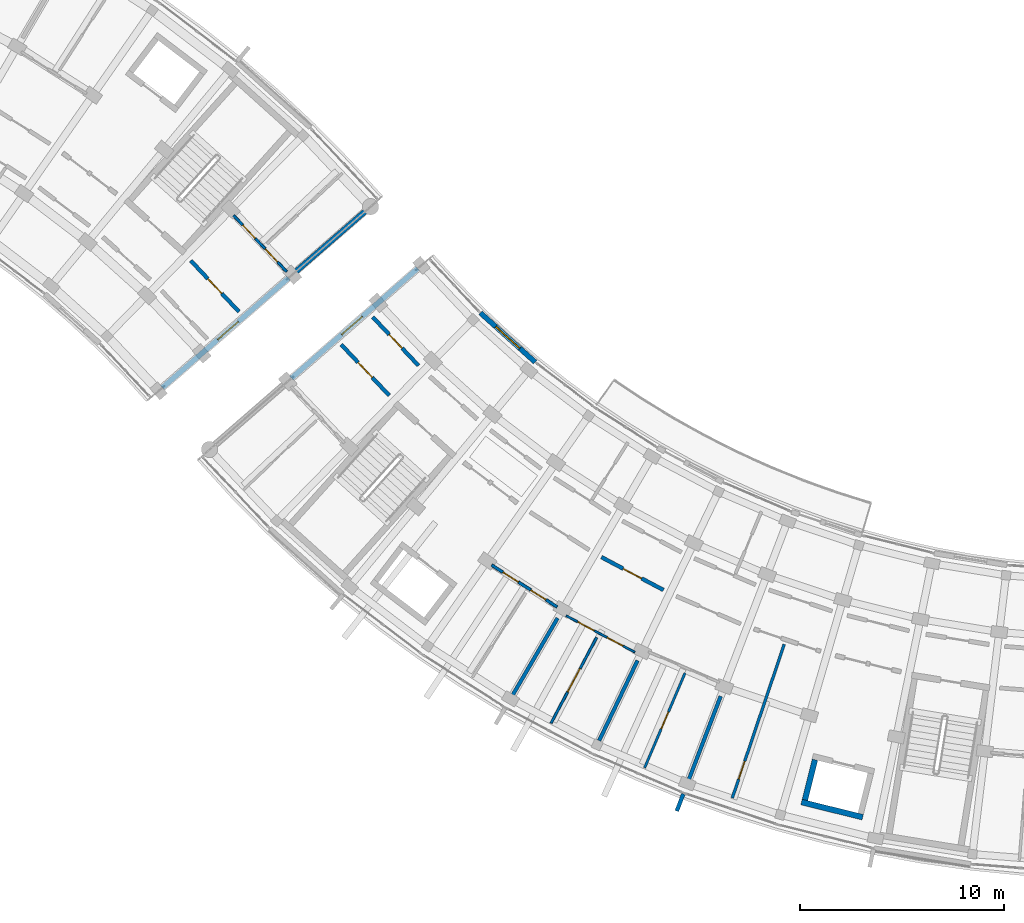
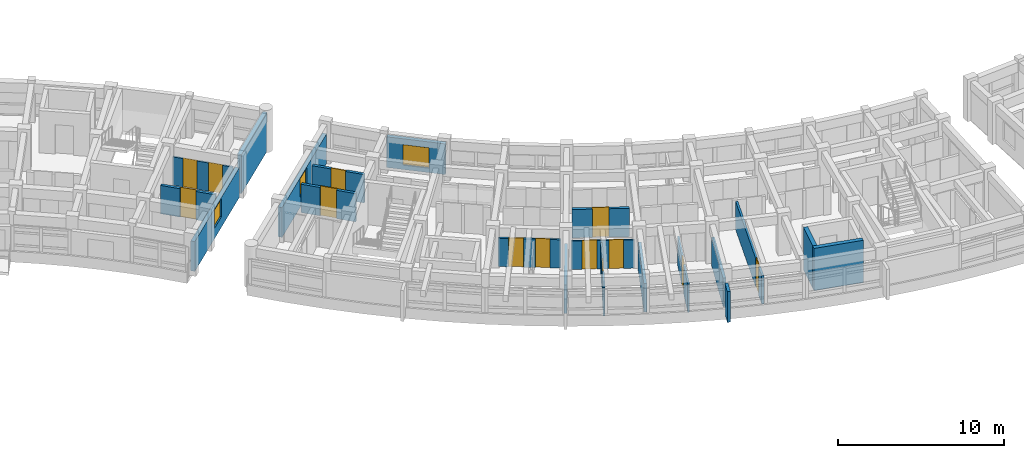
# One storey, part 33 of 56: 20 walls, 13 doors, 3 windows, 16 openings.
"""IFC4 building model written with IfcOpenShell, lengths in metres."""

from ifc_helpers import new_model, si_unit, direction, frame, frame_2d, origin, place, context, subcontext, project, spatial, rectangle, extrude, material, layer, layer_set, type_object, element, fill, save


model = new_model("IFC4")

# Units and contexts
model_context = context("Model", 3, precision=1e-05, world=origin(), true_north=direction((0.0, 1.0)))
body_context = subcontext(model_context, "Body", "Model", "MODEL_VIEW")
ifc_project = project(units=[si_unit("LENGTHUNIT", "METRE"), si_unit("AREAUNIT", "SQUARE_METRE"), si_unit("VOLUMEUNIT", "CUBIC_METRE"), si_unit("PLANEANGLEUNIT", "RADIAN"), si_unit("MASSUNIT", "GRAM", prefix="KILO")], contexts=[model_context])

# Site, building, storey
site_placement = place(None, origin())
site = spatial("IfcSite", under=ifc_project, at=site_placement, CompositionType="ELEMENT")
building_placement = place(site_placement, origin())
building = spatial("IfcBuilding", under=site, at=building_placement, Name="Zimvara Arc Housing Community", CompositionType="ELEMENT")
storey_placement = place(building_placement, frame((0.0, 0.0, 17.39990234375)))
storey = spatial("IfcBuildingStorey", under=building, at=storey_placement, Name="L05", CompositionType="ELEMENT", Elevation=17.39990234375)

# Wall, opening, window
ifc_material_1 = material(Name="Board-Marked Fair-Faced Concrete C35/45", Category="concrete")
ifc_layer_1 = layer(ifc_material_1, 0.264892578125)
ifc_layer_set_1 = layer_set([ifc_layer_1], Name="Board-Marked Fair-Faced Concrete C35/45")
wall_type_1 = type_object("IfcWallType", Name="EWL-CONC-265", PredefinedType="SOLIDWALL", material=ifc_layer_set_1)
wall_1_placement = place(storey_placement, frame((79.233642578125, 74.2587890625, 0.0), z_axis=(0.0, 0.0, 1.0), x_axis=(0.754717680958, 0.656049710044, 0.0)))
wall_1 = element("IfcWall", 1, at=wall_1_placement, inside=storey, type_object=wall_type_1, Name="ewall:blkB:L05:gN", PredefinedType="SOLIDWALL", context=body_context, shape_type="SweptSolid", body=[
    extrude(rectangle(XDim=8.199951171875, YDim=0.264892578125, at=frame_2d((4.10009765625, 0.0))), origin(), (0.0, 0.0, 1.0), 2.18017578125),
])
opening_1_placement = place(wall_1_placement, frame((3.590087890625, 0.0, 0.75)))
opening_1 = element("IfcOpeningElement", 2, at=opening_1_placement, cuts=wall_1, Name="Opening W12", PredefinedType="OPENING", context=body_context, shape_type="SweptSolid", body=[
    extrude(rectangle(XDim=1.35009765625, YDim=1.35009765625, at=frame_2d((0.675048828125, 0.675048828125))), frame((0.0, 0.142333984375, 0.0), z_axis=(0.0, -1.0, 0.0), x_axis=(1.0, 0.0, 0.0)), (0.0, 0.0, 1.0), 0.284912109375),
])
ifc_material_2 = material(Name="Solar Control Low-E Double Glazing", Category="glass")
window_type_1 = type_object("IfcWindowType", Name="WIN-RES-1350x1350", PartitioningType="DOUBLE_PANEL_VERTICAL", PredefinedType="WINDOW", material=ifc_material_2)
window_1_placement = place(opening_1_placement, origin())
window_1 = element("IfcWindow", 3, at=window_1_placement, inside=storey, type_object=window_type_1, Name="win:blkB:L05:gN:w", OverallHeight=1.35009765625, OverallWidth=1.35009765625, PartitioningType="DOUBLE_PANEL_VERTICAL", PredefinedType="WINDOW", context=body_context, shape_type="SweptSolid", body=[
    extrude(rectangle(XDim=1.35009765625, YDim=1.35009765625, at=frame_2d((0.675048828125, 0.675048828125))), frame((0.0, 0.030029296875, 0.0), z_axis=(0.0, -1.0, 0.0), x_axis=(1.0, 0.0, 0.0)), (0.0, 0.0, 1.0), 0.06005859375),
])
fill(opening_1, window_1)

wall_2_placement = place(storey_placement, frame((91.746337890625, 80.10107421875, 0.0), z_axis=(0.0, 0.0, 1.0), x_axis=(-0.754704866158, -0.656064451862, 0.0)))
wall_2 = element("IfcWall", 4, at=wall_2_placement, inside=storey, type_object=wall_type_1, Name="ewall:blkC:L05:g0", PredefinedType="SOLIDWALL", context=body_context, shape_type="SweptSolid", body=[
    extrude(rectangle(XDim=8.199951171875, YDim=0.264892578125, at=frame_2d((4.10009765625, 0.0))), origin(), (0.0, 0.0, 1.0), 2.18017578125),
])
opening_2_placement = place(wall_2_placement, frame((3.590087890625, 0.0, 0.75)))
opening_2 = element("IfcOpeningElement", 5, at=opening_2_placement, cuts=wall_2, Name="Opening W12", PredefinedType="OPENING", context=body_context, shape_type="SweptSolid", body=[
    extrude(rectangle(XDim=1.35009765625, YDim=1.35009765625, at=frame_2d((0.675048828125, 0.675048828125))), frame((0.0, 0.142333984375, 0.0), z_axis=(0.0, -1.0, 0.0), x_axis=(1.0, 0.0, 0.0)), (0.0, 0.0, 1.0), 0.284912109375),
])
window_2_placement = place(opening_2_placement, origin())
window_2 = element("IfcWindow", 6, at=window_2_placement, inside=storey, type_object=window_type_1, Name="win:blkC:L05:g0:w", OverallHeight=1.35009765625, OverallWidth=1.35009765625, PartitioningType="DOUBLE_PANEL_VERTICAL", PredefinedType="WINDOW", context=body_context, shape_type="SweptSolid", body=[
    extrude(rectangle(XDim=1.35009765625, YDim=1.35009765625, at=frame_2d((0.675048828125, 0.675048828125))), frame((0.0, 0.030029296875, 0.0), z_axis=(0.0, -1.0, 0.0), x_axis=(1.0, 0.0, 0.0)), (0.0, 0.0, 1.0), 0.06005859375),
])
fill(opening_2, window_2)

# Wall
ifc_material_3 = material(Name="Board-Marked Fair-Faced Concrete C35/45", Category="concrete")
ifc_layer_2 = layer(ifc_material_3, 0.195068359375)
ifc_layer_set_2 = layer_set([ifc_layer_2], Name="Board-Marked Fair-Faced Concrete C35/45")
wall_type_2 = type_object("IfcWallType", Name="EWL-PARA-195", PredefinedType="PARAPET", material=ifc_layer_set_2)
wall_3_placement = place(storey_placement, frame((104.76318359375, 54.35693359375, 0.0), z_axis=(0.0, 0.0, 1.0), x_axis=(-0.357033038474, -0.934091756434, 0.0)))
element("IfcWall", 7, at=wall_3_placement, inside=storey, type_object=wall_type_2, Name="finwall:blkC:L05:out:b6", PredefinedType="PARAPET", context=body_context, shape_type="SweptSolid", body=[
    extrude(rectangle(XDim=0.89990234375, YDim=0.195068359375, at=frame_2d((0.449951171875, 0.0))), origin(), (0.0, 0.0, 1.0), 2.25),
])

# Wall, opening, window
ifc_material_4 = material(Name="Pigmented Fair-Faced Concrete C35/45", Category="concrete")
ifc_layer_3 = layer(ifc_material_4, 0.2451171875)
ifc_layer_set_3 = layer_set([ifc_layer_3], Name="Pigmented Fair-Faced Concrete C35/45")
wall_type_3 = type_object("IfcWallType", Name="EWL-PIGM-245", PredefinedType="SOLIDWALL", material=ifc_layer_set_3)
wall_4_placement = place(storey_placement, frame((94.8203125, 77.92333984375, 0.0), z_axis=(0.0, 0.0, 1.0), x_axis=(0.743385092197, -0.668863666751, 0.0)))
wall_4 = element("IfcWall", 8, at=wall_4_placement, inside=storey, type_object=wall_type_3, Name="ewall:blkC:L05:in:b1", PredefinedType="SOLIDWALL", context=body_context, shape_type="SweptSolid", body=[
    extrude(rectangle(XDim=3.603759765625, YDim=0.2451171875, at=frame_2d((1.8017578125, 0.0))), origin(), (0.0, 0.0, 1.0), 2.25),
])
opening_3_placement = place(wall_4_placement, frame((1.001708984375, 0.0, 0.320068359375)))
opening_3 = element("IfcOpeningElement", 9, at=opening_3_placement, cuts=wall_4, Name="Opening W03", PredefinedType="OPENING", context=body_context, shape_type="SweptSolid", body=[
    extrude(rectangle(XDim=1.60009765625, YDim=1.5, at=frame_2d((0.800048828125, 0.75))), frame((0.0, 0.132568359375, 0.0), z_axis=(0.0, -1.0, 0.0), x_axis=(1.0, 0.0, 0.0)), (0.0, 0.0, 1.0), 0.26513671875),
])
ifc_material_5 = material(Name="Solar Control Low-E Double Glazing", Category="glass")
window_type_2 = type_object("IfcWindowType", Name="WIN-RES-1600x1500", PartitioningType="DOUBLE_PANEL_VERTICAL", PredefinedType="WINDOW", material=ifc_material_5)
window_3_placement = place(opening_3_placement, origin())
window_3 = element("IfcWindow", 10, at=window_3_placement, inside=storey, type_object=window_type_2, Name="win:blkC:L05:in:b1", OverallHeight=1.5, OverallWidth=1.60009765625, PartitioningType="DOUBLE_PANEL_VERTICAL", PredefinedType="WINDOW", context=body_context, shape_type="SweptSolid", body=[
    extrude(rectangle(XDim=1.60009765625, YDim=1.5, at=frame_2d((0.800048828125, 0.75))), frame((0.0, 0.030029296875, 0.0), z_axis=(0.0, -1.0, 0.0), x_axis=(1.0, 0.0, 0.0)), (0.0, 0.0, 1.0), 0.06005859375),
])
fill(opening_3, window_3)

# Wall, opening, door
ifc_material_6 = material(Name="Concrete C35/45", Category="concrete")
ifc_layer_4 = layer(ifc_material_6, 0.18994140625)
ifc_layer_set_4 = layer_set([ifc_layer_4], Name="Concrete C35/45")
wall_type_4 = type_object("IfcWallType", Name="IWL-CORR-190", PredefinedType="SOLIDWALL", material=ifc_layer_set_4)
wall_5_placement = place(storey_placement, frame((80.627685546875, 80.48291015625, 0.0), z_axis=(0.0, 0.0, 1.0), x_axis=(0.686310507227, -0.727308660522, 0.0)))
wall_5 = element("IfcWall", 11, at=wall_5_placement, inside=storey, type_object=wall_type_4, Name="iwall:blkB:L05:corr_out:b9", PredefinedType="SOLIDWALL", context=body_context, shape_type="SweptSolid", body=[
    extrude(rectangle(XDim=3.43603515625, YDim=0.18994140625, at=frame_2d((1.718017578125, 0.0))), origin(), (0.0, 0.0, 1.0), 2.080078125),
])
opening_4_placement = place(wall_5_placement, frame((1.22802734375, 0.0, 0.0)))
opening_4 = element("IfcOpeningElement", 12, at=opening_4_placement, cuts=wall_5, Name="Opening FD-FL1", PredefinedType="OPENING", context=body_context, shape_type="SweptSolid", body=[
    extrude(rectangle(XDim=0.97998046875, YDim=2.14990234375, at=frame_2d((0.489990234375, 1.074951171875))), frame((0.0, 0.10498046875, 0.0), z_axis=(0.0, -1.0, 0.0), x_axis=(1.0, 0.0, 0.0)), (0.0, 0.0, 1.0), 0.2099609375),
])
ifc_material_7 = material(Name="Mozambican Hardwood", Category="wood")
door_type_1 = type_object("IfcDoorType", Name="IDR-FLAT-0980x2150", OperationType="NOTDEFINED", PredefinedType="DOOR", material=ifc_material_7)
door_1_placement = place(opening_4_placement, origin())
door_1 = element("IfcDoor", 13, at=door_1_placement, inside=storey, type_object=door_type_1, Name="idoor:blkB:L05:flat:b9", OperationType="SINGLE_SWING_RIGHT", OverallHeight=2.14990234375, OverallWidth=0.97998046875, PredefinedType="DOOR", context=body_context, shape_type="SweptSolid", body=[
    extrude(rectangle(XDim=0.97998046875, YDim=2.14990234375, at=frame_2d((0.489990234375, 1.074951171875))), frame((0.0, 0.02490234375, 0.0), z_axis=(0.0, -1.0, 0.0), x_axis=(1.0, 0.0, 0.0)), (0.0, 0.0, 1.0), 0.050048828125),
])
fill(opening_4, door_1)

wall_6_placement = place(storey_placement, frame((87.994140625, 76.3759765625, 0.0), z_axis=(0.0, 0.0, 1.0), x_axis=(0.686310507227, -0.727308660522, 0.0)))
wall_6 = element("IfcWall", 14, at=wall_6_placement, inside=storey, type_object=wall_type_4, Name="iwall:blkC:L05:corr_out:b0", PredefinedType="SOLIDWALL", context=body_context, shape_type="SweptSolid", body=[
    extrude(rectangle(XDim=3.43603515625, YDim=0.18994140625, at=frame_2d((1.718017578125, 0.0))), origin(), (0.0, 0.0, 1.0), 2.080078125),
])
opening_5_placement = place(wall_6_placement, frame((1.2080078125, 0.0, 0.0)))
opening_5 = element("IfcOpeningElement", 15, at=opening_5_placement, cuts=wall_6, Name="Opening FD-FL2", PredefinedType="OPENING", context=body_context, shape_type="SweptSolid", body=[
    extrude(rectangle(XDim=1.02001953125, YDim=2.14990234375, at=frame_2d((0.510009765625, 1.074951171875))), frame((0.0, 0.10498046875, 0.0), z_axis=(0.0, -1.0, 0.0), x_axis=(1.0, 0.0, 0.0)), (0.0, 0.0, 1.0), 0.2099609375),
])
ifc_material_8 = material(Name="Mozambican Hardwood", Category="wood")
door_type_2 = type_object("IfcDoorType", Name="IDR-FLAT-1020x2150", OperationType="NOTDEFINED", PredefinedType="DOOR", material=ifc_material_8)
door_2_placement = place(opening_5_placement, origin())
door_2 = element("IfcDoor", 16, at=door_2_placement, inside=storey, type_object=door_type_2, Name="idoor:blkC:L05:flat:b0", OperationType="SINGLE_SWING_LEFT", OverallHeight=2.14990234375, OverallWidth=1.02001953125, PredefinedType="DOOR", context=body_context, shape_type="SweptSolid", body=[
    extrude(rectangle(XDim=1.02001953125, YDim=2.14990234375, at=frame_2d((0.510009765625, 1.074951171875))), frame((0.0, 0.02490234375, 0.0), z_axis=(0.0, -1.0, 0.0), x_axis=(1.0, 0.0, 0.0)), (0.0, 0.0, 1.0), 0.050048828125),
])
fill(opening_5, door_2)

wall_7_placement = place(storey_placement, frame((89.541259765625, 77.720947265625, 0.0), z_axis=(0.0, 0.0, 1.0), x_axis=(0.686344941052, -0.727276166179, 0.0)))
wall_7 = element("IfcWall", 17, at=wall_7_placement, inside=storey, type_object=wall_type_4, Name="iwall:blkC:L05:corr_in:b0", PredefinedType="SOLIDWALL", context=body_context, shape_type="SweptSolid", body=[
    extrude(rectangle(XDim=3.2685546875, YDim=0.18994140625, at=frame_2d((1.63427734375, 0.0))), origin(), (0.0, 0.0, 1.0), 2.080078125),
])
opening_6_placement = place(wall_7_placement, frame((1.17431640625, 0.0, 0.0)))
opening_6 = element("IfcOpeningElement", 18, at=opening_6_placement, cuts=wall_7, Name="Opening D02", PredefinedType="OPENING", context=body_context, shape_type="SweptSolid", body=[
    extrude(rectangle(XDim=0.919921875, YDim=2.10009765625, at=frame_2d((0.4599609375, 1.050048828125))), frame((0.0, 0.10498046875, 0.0), z_axis=(0.0, -1.0, 0.0), x_axis=(1.0, 0.0, 0.0)), (0.0, 0.0, 1.0), 0.2099609375),
])
ifc_material_9 = material(Name="Mozambican Hardwood", Category="wood")
door_type_3 = type_object("IfcDoorType", Name="IDR-RM-0920x2100", OperationType="NOTDEFINED", PredefinedType="DOOR", material=ifc_material_9)
door_3_placement = place(opening_6_placement, origin())
door_3 = element("IfcDoor", 19, at=door_3_placement, inside=storey, type_object=door_type_3, Name="idoor:blkC:L05:in_rm:b0", OperationType="SINGLE_SWING_RIGHT", OverallHeight=2.10009765625, OverallWidth=0.919921875, PredefinedType="DOOR", context=body_context, shape_type="SweptSolid", body=[
    extrude(rectangle(XDim=0.919921875, YDim=2.10009765625, at=frame_2d((0.4599609375, 1.050048828125))), frame((0.0, 0.02490234375, 0.0), z_axis=(0.0, -1.0, 0.0), x_axis=(1.0, 0.0, 0.0)), (0.0, 0.0, 1.0), 0.050048828125),
])
fill(opening_6, door_3)

wall_8_placement = place(storey_placement, frame((100.750244140625, 65.9560546875, 0.0), z_axis=(0.0, 0.0, 1.0), x_axis=(0.883440266101, -0.468543803963, 0.0)))
wall_8 = element("IfcWall", 20, at=wall_8_placement, inside=storey, type_object=wall_type_4, Name="iwall:blkC:L05:corr_out:b4", PredefinedType="SOLIDWALL", context=body_context, shape_type="SweptSolid", body=[
    extrude(rectangle(XDim=3.435791015625, YDim=0.18994140625, at=frame_2d((1.7177734375, 0.0))), origin(), (0.0, 0.0, 1.0), 2.080078125),
])
opening_7_placement = place(wall_8_placement, frame((1.2080078125, 0.0, 0.0)))
opening_7 = element("IfcOpeningElement", 21, at=opening_7_placement, cuts=wall_8, Name="Opening FD-FL2", PredefinedType="OPENING", context=body_context, shape_type="SweptSolid", body=[
    extrude(rectangle(XDim=1.02001953125, YDim=2.14990234375, at=frame_2d((0.510009765625, 1.074951171875))), frame((0.0, 0.10498046875, 0.0), z_axis=(0.0, -1.0, 0.0), x_axis=(1.0, 0.0, 0.0)), (0.0, 0.0, 1.0), 0.2099609375),
])
door_4_placement = place(opening_7_placement, origin())
door_4 = element("IfcDoor", 22, at=door_4_placement, inside=storey, type_object=door_type_2, Name="idoor:blkC:L05:flat:b4", OperationType="SINGLE_SWING_RIGHT", OverallHeight=2.14990234375, OverallWidth=1.02001953125, PredefinedType="DOOR", context=body_context, shape_type="SweptSolid", body=[
    extrude(rectangle(XDim=1.02001953125, YDim=2.14990234375, at=frame_2d((0.510009765625, 1.074951171875))), frame((0.0, 0.02490234375, 0.0), z_axis=(0.0, -1.0, 0.0), x_axis=(1.0, 0.0, 0.0)), (0.0, 0.0, 1.0), 0.050048828125),
])
fill(opening_7, door_4)

# Walls
ifc_material_10 = material(Name="Concrete C35/45", Category="concrete")
ifc_layer_5 = layer(ifc_material_10, 0.18505859375)
ifc_layer_set_5 = layer_set([ifc_layer_5], Name="Concrete C35/45")
wall_type_5 = type_object("IfcWallType", Name="IWL-FLAT-185", PredefinedType="SOLIDWALL", material=ifc_layer_set_5)
wall_9_placement = place(storey_placement, frame((98.6005859375, 62.968017578125, 0.0), z_axis=(0.0, 0.0, 1.0), x_axis=(-0.504216452091, -0.863577309475, 0.0)))
element("IfcWall", 23, at=wall_9_placement, inside=storey, type_object=wall_type_5, Name="iwall:blkC:L05:party:b4", PredefinedType="SOLIDWALL", context=body_context, shape_type="SweptSolid", body=[
    extrude(rectangle(XDim=4.35009765625, YDim=0.18505859375, at=frame_2d((2.175048828125, 0.0))), origin(), (0.0, 0.0, 1.0), 2.080078125),
])
wall_10_placement = place(storey_placement, frame((102.517822265625, 60.890380859375, 0.0), z_axis=(0.0, 0.0, 1.0), x_axis=(-0.432108769108, -0.901821496561, 0.0)))
element("IfcWall", 24, at=wall_10_placement, inside=storey, type_object=wall_type_5, Name="iwall:blkC:L05:party:b5", PredefinedType="SOLIDWALL", context=body_context, shape_type="SweptSolid", body=[
    extrude(rectangle(XDim=4.349853515625, YDim=0.18505859375, at=frame_2d((2.1748046875, 0.0))), origin(), (0.0, 0.0, 1.0), 2.080078125),
])
wall_11_placement = place(storey_placement, frame((106.59130859375, 59.139404296875, 0.0), z_axis=(0.0, 0.0, 1.0), x_axis=(-0.357064016205, -0.934079915388, 0.0)))
element("IfcWall", 25, at=wall_11_placement, inside=storey, type_object=wall_type_5, Name="iwall:blkC:L05:party:b6", PredefinedType="SOLIDWALL", context=body_context, shape_type="SweptSolid", body=[
    extrude(rectangle(XDim=4.35009765625, YDim=0.18505859375, at=frame_2d((2.175048828125, 0.0))), origin(), (0.0, 0.0, 1.0), 2.080078125),
])

# Wall, openings, doors
ifc_material_11 = material(Name="Painted Acoustic Plasterboard")
ifc_layer_6 = layer(ifc_material_11, 0.10009765625)
ifc_layer_set_6 = layer_set([ifc_layer_6], Name="Painted Acoustic Plasterboard")
wall_type_6 = type_object("IfcWallType", Name="IWL-PART-100", PredefinedType="PARTITIONING", material=ifc_layer_set_6)
wall_12_placement = place(storey_placement, frame((99.016845703125, 63.086669921875, 0.0), z_axis=(0.0, 0.0, 1.0), x_axis=(0.883415075746, -0.468591297342, 0.0)))
wall_12 = element("IfcWall", 26, at=wall_12_placement, inside=storey, type_object=wall_type_6, Name="iwall:blkC:L05:srv:b4", PredefinedType="PARTITIONING", context=body_context, shape_type="SweptSolid", body=[
    extrude(rectangle(XDim=3.8095703125, YDim=0.10009765625, at=frame_2d((1.90478515625, 0.0))), origin(), (0.0, 0.0, 1.0), 2.080078125),
])
opening_8_placement = place(wall_12_placement, frame((0.64990234375, 0.0, 0.0)))
opening_8 = element("IfcOpeningElement", 27, at=opening_8_placement, cuts=wall_12, Name="Opening D01", PredefinedType="OPENING", context=body_context, shape_type="SweptSolid", body=[
    extrude(rectangle(XDim=0.89990234375, YDim=2.10009765625, at=frame_2d((0.449951171875, 1.050048828125))), frame((0.0, 0.06005859375, 0.0), z_axis=(0.0, -1.0, 0.0), x_axis=(1.0, 0.0, 0.0)), (0.0, 0.0, 1.0), 0.1201171875),
])
opening_9_placement = place(wall_12_placement, frame((2.279541015625, 0.0, 0.0)))
opening_9 = element("IfcOpeningElement", 28, at=opening_9_placement, cuts=wall_12, Name="Opening D05", PredefinedType="OPENING", context=body_context, shape_type="SweptSolid", body=[
    extrude(rectangle(XDim=0.8798828125, YDim=2.10009765625, at=frame_2d((0.43994140625, 1.050048828125))), frame((0.0, 0.06005859375, 0.0), z_axis=(0.0, -1.0, 0.0), x_axis=(1.0, 0.0, 0.0)), (0.0, 0.0, 1.0), 0.1201171875),
])
ifc_material_12 = material(Name="Mozambican Hardwood", Category="wood")
door_type_4 = type_object("IfcDoorType", Name="IDR-RM-0900x2100", OperationType="NOTDEFINED", PredefinedType="DOOR", material=ifc_material_12)
door_5_placement = place(opening_8_placement, origin())
door_5 = element("IfcDoor", 29, at=door_5_placement, inside=storey, type_object=door_type_4, Name="idoor:blkC:L05:kit_liv:b4", OperationType="SINGLE_SWING_RIGHT", OverallHeight=2.10009765625, OverallWidth=0.89990234375, PredefinedType="DOOR", context=body_context, shape_type="SweptSolid", body=[
    extrude(rectangle(XDim=0.89990234375, YDim=2.10009765625, at=frame_2d((0.449951171875, 1.050048828125))), frame((0.0, 0.02490234375, 0.0), z_axis=(0.0, -1.0, 0.0), x_axis=(1.0, 0.0, 0.0)), (0.0, 0.0, 1.0), 0.050048828125),
])
fill(opening_8, door_5)
ifc_material_13 = material(Name="Mozambican Hardwood", Category="wood")
door_type_5 = type_object("IfcDoorType", Name="IDR-WC-0880x2100", OperationType="NOTDEFINED", PredefinedType="DOOR", material=ifc_material_13)
door_6_placement = place(opening_9_placement, origin())
door_6 = element("IfcDoor", 30, at=door_6_placement, inside=storey, type_object=door_type_5, Name="idoor:blkC:L05:bath_d:b4", OperationType="SINGLE_SWING_LEFT", OverallHeight=2.10009765625, OverallWidth=0.8798828125, PredefinedType="DOOR", context=body_context, shape_type="SweptSolid", body=[
    extrude(rectangle(XDim=0.8798828125, YDim=2.10009765625, at=frame_2d((0.43994140625, 1.050048828125))), frame((0.0, 0.02490234375, 0.0), z_axis=(0.0, -1.0, 0.0), x_axis=(1.0, 0.0, 0.0)), (0.0, 0.0, 1.0), 0.050048828125),
])
fill(opening_9, door_6)

# Wall, opening, door
ifc_material_14 = material(Name="Painted Acoustic Plasterboard")
ifc_layer_7 = layer(ifc_material_14, 0.1201171875)
ifc_layer_set_7 = layer_set([ifc_layer_7], Name="Painted Acoustic Plasterboard")
wall_type_7 = type_object("IfcWallType", Name="IWL-PART-120", PredefinedType="PARTITIONING", material=ifc_layer_set_7)
wall_13_placement = place(storey_placement, frame((100.5126953125, 62.015869140625, 0.0), z_axis=(0.0, 0.0, 1.0), x_axis=(-0.469889133168, -0.882725440061, 0.0)))
wall_13 = element("IfcWall", 31, at=wall_13_placement, inside=storey, type_object=wall_type_7, Name="iwall:blkC:L05:bed_div:b4", PredefinedType="PARTITIONING", context=body_context, shape_type="SweptSolid", body=[
    extrude(rectangle(XDim=4.75, YDim=0.1201171875, at=frame_2d((2.375, 0.0))), origin(), (0.0, 0.0, 1.0), 2.080078125),
])
opening_10_placement = place(wall_13_placement, frame((1.72509765625, 0.0, 0.0)))
opening_10 = element("IfcOpeningElement", 32, at=opening_10_placement, cuts=wall_13, Name="Opening D20", PredefinedType="OPENING", context=body_context, shape_type="SweptSolid", body=[
    extrude(rectangle(XDim=1.300048828125, YDim=2.10009765625, at=frame_2d((0.64990234375, 1.050048828125))), frame((0.0, 0.070068359375, 0.0), z_axis=(0.0, -1.0, 0.0), x_axis=(1.0, 0.0, 0.0)), (0.0, 0.0, 1.0), 0.14013671875),
])
ifc_material_15 = material(Name="Mozambican Hardwood", Category="wood")
door_type_6 = type_object("IfcDoorType", Name="IDR-MOD-1300x2240", OperationType="NOTDEFINED", PredefinedType="DOOR", material=ifc_material_15)
door_7_placement = place(opening_10_placement, origin())
door_7 = element("IfcDoor", 33, at=door_7_placement, inside=storey, type_object=door_type_6, Name="idoor:blkC:L05:bed_d:b4", OperationType="SINGLE_SWING_RIGHT", OverallHeight=2.10009765625, OverallWidth=1.300048828125, PredefinedType="DOOR", context=body_context, shape_type="SweptSolid", body=[
    extrude(rectangle(XDim=1.300048828125, YDim=2.10009765625, at=frame_2d((0.64990234375, 1.050048828125))), frame((0.0, 0.02490234375, 0.0), z_axis=(0.0, -1.0, 0.0), x_axis=(1.0, 0.0, 0.0)), (0.0, 0.0, 1.0), 0.050048828125),
])
fill(opening_10, door_7)

wall_14_placement = place(storey_placement, frame((104.843994140625, 60.27685546875, 0.0), z_axis=(0.0, 0.0, 1.0), x_axis=(-0.392127280422, -0.919910971751, 0.0)))
wall_14 = element("IfcWall", 34, at=wall_14_placement, inside=storey, type_object=wall_type_7, Name="iwall:blkC:L05:bed_div:b5", PredefinedType="PARTITIONING", context=body_context, shape_type="SweptSolid", body=[
    extrude(rectangle(XDim=5.050048828125, YDim=0.1201171875, at=frame_2d((2.52490234375, 0.0))), origin(), (0.0, 0.0, 1.0), 2.080078125),
])
opening_11_placement = place(wall_14_placement, frame((2.074951171875, 0.0, 0.0)))
opening_11 = element("IfcOpeningElement", 35, at=opening_11_placement, cuts=wall_14, Name="Opening D01", PredefinedType="OPENING", context=body_context, shape_type="SweptSolid", body=[
    extrude(rectangle(XDim=0.89990234375, YDim=2.10009765625, at=frame_2d((0.449951171875, 1.050048828125))), frame((0.0, 0.070068359375, 0.0), z_axis=(0.0, -1.0, 0.0), x_axis=(1.0, 0.0, 0.0)), (0.0, 0.0, 1.0), 0.14013671875),
])
door_8_placement = place(opening_11_placement, origin())
door_8 = element("IfcDoor", 36, at=door_8_placement, inside=storey, type_object=door_type_4, Name="idoor:blkC:L05:bed_d:b5", OperationType="SINGLE_SWING_RIGHT", OverallHeight=2.10009765625, OverallWidth=0.89990234375, PredefinedType="DOOR", context=body_context, shape_type="SweptSolid", body=[
    extrude(rectangle(XDim=0.89990234375, YDim=2.10009765625, at=frame_2d((0.449951171875, 1.050048828125))), frame((0.0, 0.02490234375, 0.0), z_axis=(0.0, -1.0, 0.0), x_axis=(1.0, 0.0, 0.0)), (0.0, 0.0, 1.0), 0.050048828125),
])
fill(opening_11, door_8)

# Wall, openings, doors
ifc_material_16 = material(Name="Painted Acoustic Plasterboard")
ifc_layer_8 = layer(ifc_material_16, 0.125)
ifc_layer_set_8 = layer_set([ifc_layer_8], Name="Painted Acoustic Plasterboard")
wall_type_8 = type_object("IfcWallType", Name="IWL-PART-125", PredefinedType="PARTITIONING", material=ifc_layer_set_8)
wall_15_placement = place(storey_placement, frame((82.72412109375, 82.701416015625, 0.0), z_axis=(0.0, 0.0, 1.0), x_axis=(0.686331812627, -0.72728855551, 0.0)))
wall_15 = element("IfcWall", 37, at=wall_15_placement, inside=storey, type_object=wall_type_8, Name="iwall:blkB:L05:srv:b9", PredefinedType="PARTITIONING", context=body_context, shape_type="SweptSolid", body=[
    extrude(rectangle(XDim=3.78515625, YDim=0.125, at=frame_2d((1.892578125, 0.0))), origin(), (0.0, 0.0, 1.0), 2.080078125),
])
opening_12_placement = place(wall_15_placement, frame((0.64990234375, 0.0, 0.0)))
opening_12 = element("IfcOpeningElement", 38, at=opening_12_placement, cuts=wall_15, Name="Opening D01", PredefinedType="OPENING", context=body_context, shape_type="SweptSolid", body=[
    extrude(rectangle(XDim=0.89990234375, YDim=2.10009765625, at=frame_2d((0.449951171875, 1.050048828125))), frame((0.0, 0.072509765625, 0.0), z_axis=(0.0, -1.0, 0.0), x_axis=(1.0, 0.0, 0.0)), (0.0, 0.0, 1.0), 0.14501953125),
])
opening_13_placement = place(wall_15_placement, frame((2.255126953125, 0.0, 0.0)))
opening_13 = element("IfcOpeningElement", 39, at=opening_13_placement, cuts=wall_15, Name="Opening D05", PredefinedType="OPENING", context=body_context, shape_type="SweptSolid", body=[
    extrude(rectangle(XDim=0.8798828125, YDim=2.10009765625, at=frame_2d((0.43994140625, 1.050048828125))), frame((0.0, 0.072509765625, 0.0), z_axis=(0.0, -1.0, 0.0), x_axis=(1.0, 0.0, 0.0)), (0.0, 0.0, 1.0), 0.14501953125),
])
door_9_placement = place(opening_12_placement, origin())
door_9 = element("IfcDoor", 40, at=door_9_placement, inside=storey, type_object=door_type_4, Name="idoor:blkB:L05:kit_liv:b9", OperationType="SINGLE_SWING_RIGHT", OverallHeight=2.10009765625, OverallWidth=0.89990234375, PredefinedType="DOOR", context=body_context, shape_type="SweptSolid", body=[
    extrude(rectangle(XDim=0.89990234375, YDim=2.10009765625, at=frame_2d((0.449951171875, 1.050048828125))), frame((0.0, 0.02490234375, 0.0), z_axis=(0.0, -1.0, 0.0), x_axis=(1.0, 0.0, 0.0)), (0.0, 0.0, 1.0), 0.050048828125),
])
fill(opening_12, door_9)
door_10_placement = place(opening_13_placement, origin())
door_10 = element("IfcDoor", 41, at=door_10_placement, inside=storey, type_object=door_type_5, Name="idoor:blkB:L05:bath_d:b9", OperationType="SINGLE_SWING_LEFT", OverallHeight=2.10009765625, OverallWidth=0.8798828125, PredefinedType="DOOR", context=body_context, shape_type="SweptSolid", body=[
    extrude(rectangle(XDim=0.8798828125, YDim=2.10009765625, at=frame_2d((0.43994140625, 1.050048828125))), frame((0.0, 0.02490234375, 0.0), z_axis=(0.0, -1.0, 0.0), x_axis=(1.0, 0.0, 0.0)), (0.0, 0.0, 1.0), 0.050048828125),
])
fill(opening_13, door_10)

ifc_material_17 = material(Name="Painted Acoustic Plasterboard")
ifc_layer_9 = layer(ifc_material_17, 0.139892578125)
ifc_layer_set_9 = layer_set([ifc_layer_9], Name="Painted Acoustic Plasterboard")
wall_type_9 = type_object("IfcWallType", Name="IWL-PART-140", PredefinedType="PARTITIONING", material=ifc_layer_set_9)
wall_16_placement = place(storey_placement, frame((95.37646484375, 65.5654296875, 0.0), z_axis=(0.0, 0.0, 1.0), x_axis=(0.842242208372, -0.539099306656, 0.0)))
wall_16 = element("IfcWall", 42, at=wall_16_placement, inside=storey, type_object=wall_type_9, Name="iwall:blkC:L05:srv:b3", PredefinedType="PARTITIONING", context=body_context, shape_type="SweptSolid", body=[
    extrude(rectangle(XDim=3.79736328125, YDim=0.139892578125, at=frame_2d((1.898681640625, 0.0))), origin(), (0.0, 0.0, 1.0), 2.080078125),
])
opening_14_placement = place(wall_16_placement, frame((0.64990234375, 0.0, 0.0)))
opening_14 = element("IfcOpeningElement", 43, at=opening_14_placement, cuts=wall_16, Name="Opening D01", PredefinedType="OPENING", context=body_context, shape_type="SweptSolid", body=[
    extrude(rectangle(XDim=0.89990234375, YDim=2.10009765625, at=frame_2d((0.449951171875, 1.050048828125))), frame((0.0, 0.079833984375, 0.0), z_axis=(0.0, -1.0, 0.0), x_axis=(1.0, 0.0, 0.0)), (0.0, 0.0, 1.0), 0.159912109375),
])
opening_15_placement = place(wall_16_placement, frame((2.267333984375, 0.0, 0.0)))
opening_15 = element("IfcOpeningElement", 44, at=opening_15_placement, cuts=wall_16, Name="Opening D05", PredefinedType="OPENING", context=body_context, shape_type="SweptSolid", body=[
    extrude(rectangle(XDim=0.8798828125, YDim=2.10009765625, at=frame_2d((0.43994140625, 1.050048828125))), frame((0.0, 0.079833984375, 0.0), z_axis=(0.0, -1.0, 0.0), x_axis=(1.0, 0.0, 0.0)), (0.0, 0.0, 1.0), 0.159912109375),
])
door_11_placement = place(opening_14_placement, origin())
door_11 = element("IfcDoor", 45, at=door_11_placement, inside=storey, type_object=door_type_4, Name="idoor:blkC:L05:kit_liv:b3", OperationType="SINGLE_SWING_LEFT", OverallHeight=2.10009765625, OverallWidth=0.89990234375, PredefinedType="DOOR", context=body_context, shape_type="SweptSolid", body=[
    extrude(rectangle(XDim=0.89990234375, YDim=2.10009765625, at=frame_2d((0.449951171875, 1.050048828125))), frame((0.0, 0.02490234375, 0.0), z_axis=(0.0, -1.0, 0.0), x_axis=(1.0, 0.0, 0.0)), (0.0, 0.0, 1.0), 0.050048828125),
])
fill(opening_14, door_11)
door_12_placement = place(opening_15_placement, origin())
door_12 = element("IfcDoor", 46, at=door_12_placement, inside=storey, type_object=door_type_5, Name="idoor:blkC:L05:bath_d:b3", OperationType="SINGLE_SWING_RIGHT", OverallHeight=2.10009765625, OverallWidth=0.8798828125, PredefinedType="DOOR", context=body_context, shape_type="SweptSolid", body=[
    extrude(rectangle(XDim=0.8798828125, YDim=2.10009765625, at=frame_2d((0.43994140625, 1.050048828125))), frame((0.0, 0.02490234375, 0.0), z_axis=(0.0, -1.0, 0.0), x_axis=(1.0, 0.0, 0.0)), (0.0, 0.0, 1.0), 0.050048828125),
])
fill(opening_15, door_12)

# Wall, opening, door
wall_17_placement = place(storey_placement, frame((109.705078125, 61.684814453125, 0.0), z_axis=(0.0, 0.0, 1.0), x_axis=(-0.320057771325, -0.947398027766, 0.0)))
wall_17 = element("IfcWall", 47, at=wall_17_placement, inside=storey, type_object=wall_type_9, Name="iwall:blkC:L05:amen_div:b6", PredefinedType="PARTITIONING", context=body_context, shape_type="SweptSolid", body=[
    extrude(rectangle(XDim=7.949951171875, YDim=0.139892578125, at=frame_2d((3.97509765625, 0.0))), origin(), (0.0, 0.0, 1.0), 2.080078125),
])
opening_16_placement = place(wall_17_placement, frame((6.050048828125, 0.0, 0.0)))
opening_16 = element("IfcOpeningElement", 48, at=opening_16_placement, cuts=wall_17, Name="Opening D02", PredefinedType="OPENING", context=body_context, shape_type="SweptSolid", body=[
    extrude(rectangle(XDim=0.919921875, YDim=2.10009765625, at=frame_2d((0.4599609375, 1.050048828125))), frame((0.0, 0.079833984375, 0.0), z_axis=(0.0, -1.0, 0.0), x_axis=(1.0, 0.0, 0.0)), (0.0, 0.0, 1.0), 0.159912109375),
])
door_13_placement = place(opening_16_placement, origin())
door_13 = element("IfcDoor", 49, at=door_13_placement, inside=storey, type_object=door_type_3, Name="idoor:blkC:L05:laund_d:b6", OperationType="SINGLE_SWING_RIGHT", OverallHeight=2.10009765625, OverallWidth=0.919921875, PredefinedType="DOOR", context=body_context, shape_type="SweptSolid", body=[
    extrude(rectangle(XDim=0.919921875, YDim=2.10009765625, at=frame_2d((0.4599609375, 1.050048828125))), frame((0.0, 0.02490234375, 0.0), z_axis=(0.0, -1.0, 0.0), x_axis=(1.0, 0.0, 0.0)), (0.0, 0.0, 1.0), 0.050048828125),
])
fill(opening_16, door_13)

# Walls
ifc_material_18 = material(Name="Concrete C40/50", Category="concrete")
ifc_layer_10 = layer(ifc_material_18, 0.280029296875)
ifc_layer_set_10 = layer_set([ifc_layer_10], Name="Concrete C40/50")
wall_type_10 = type_object("IfcWallType", Name="WL-CORE-280", PredefinedType="SHEAR", material=ifc_layer_set_10)
wall_18_placement = place(storey_placement, frame((110.552978515625, 53.953857421875, 0.0), z_axis=(0.0, 0.0, 1.0), x_axis=(0.970725280816, -0.240192483614, 0.0)))
element("IfcWall", 50, at=wall_18_placement, inside=storey, type_object=wall_type_10, Name="lwall:LP-C2:L05:back", PredefinedType="SHEAR", context=body_context, shape_type="SweptSolid", body=[
    extrude(rectangle(XDim=3.090087890625, YDim=0.280029296875, at=frame_2d((1.544921875, 0.0))), origin(), (0.0, 0.0, 1.0), 3.10009765625),
])
wall_19_placement = place(storey_placement, frame((111.210205078125, 56.026611328125, 0.0), z_axis=(0.0, 0.0, 1.0), x_axis=(-0.240186044774, -0.970726873995, 0.0)))
element("IfcWall", 51, at=wall_19_placement, inside=storey, type_object=wall_type_10, Name="lwall:LP-C2:L05:left", PredefinedType="SHEAR", context=body_context, shape_type="SweptSolid", body=[
    extrude(rectangle(XDim=2.02978515625, YDim=0.280029296875, at=frame_2d((1.014892578125, 0.0))), origin(), (0.0, 0.0, 1.0), 3.10009765625),
])
ifc_material_19 = material(Name="Concrete C40/50", Category="concrete")
ifc_layer_11 = layer(ifc_material_19, 0.27001953125)
ifc_layer_set_11 = layer_set([ifc_layer_11], Name="Concrete C40/50")
wall_type_11 = type_object("IfcWallType", Name="WL-SHEAR-270", PredefinedType="SHEAR", material=ifc_layer_set_11)
wall_20_placement = place(storey_placement, frame((85.7392578125, 79.9140625, 0.0), z_axis=(0.0, 0.0, 1.0), x_axis=(0.754703505217, 0.65606601742, 0.0)))
element("IfcWall", 52, at=wall_20_placement, inside=storey, type_object=wall_type_11, Name="swall:blkB:L05:east", PredefinedType="SHEAR", context=body_context, shape_type="SweptSolid", body=[
    extrude(rectangle(XDim=4.719970703125, YDim=0.27001953125, at=frame_2d((2.35986328125, 0.0))), origin(), (0.0, 0.0, 1.0), 2.860107421875),
])

save(model, "model.ifc")
